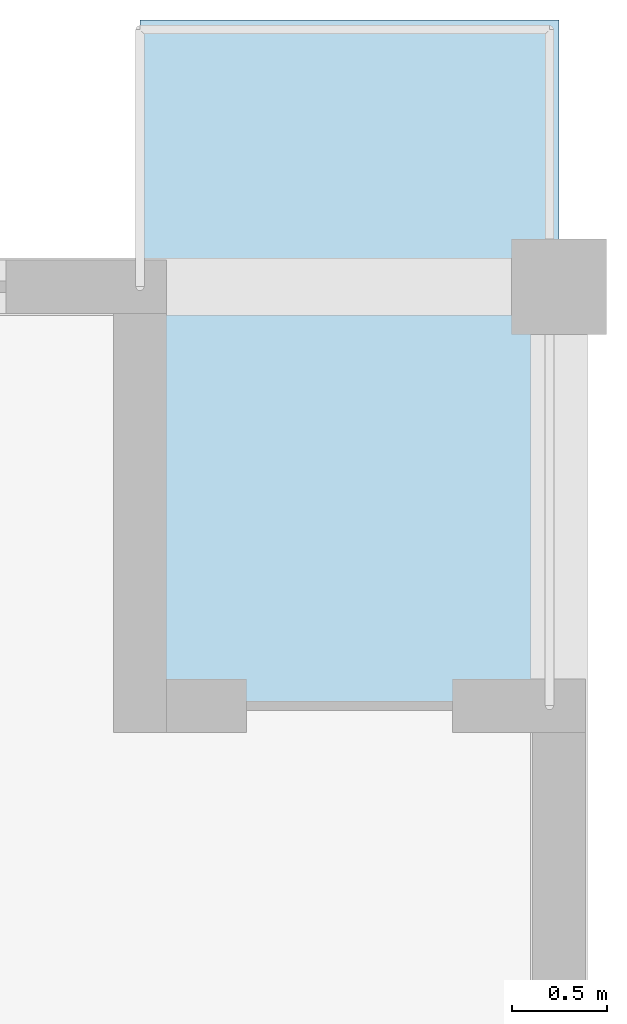
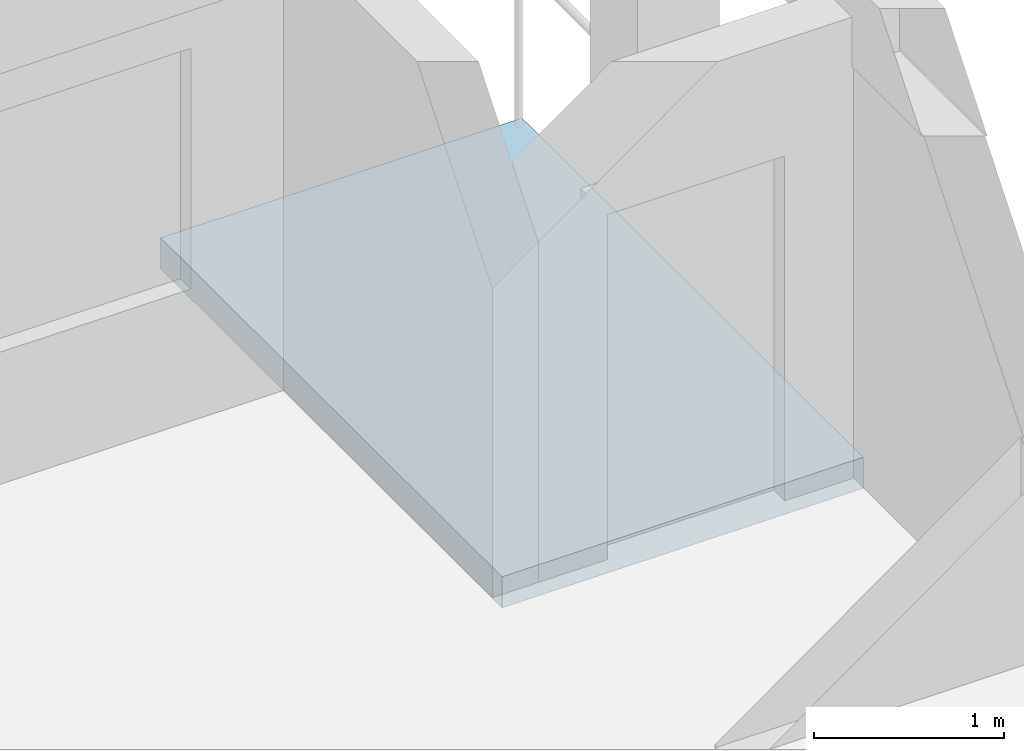
# One storey, part 24 of 46: 1 slab.
"""IFC4 building model written with IfcOpenShell, lengths in metres."""

from ifc_helpers import new_model, si_unit, direction, frame, origin, place, context, subcontext, project, spatial, polyline, outline, extrude, material, layer, layer_set, type_object, element, save


model = new_model("IFC4")

# Units and contexts
model_context = context("Model", 3, precision=1e-05, world=origin(), true_north=direction((0.0, 1.0)))
body_context = subcontext(model_context, "Body", "Model", "MODEL_VIEW")
ifc_project = project(units=[si_unit("LENGTHUNIT", "METRE"), si_unit("AREAUNIT", "SQUARE_METRE"), si_unit("VOLUMEUNIT", "CUBIC_METRE"), si_unit("PLANEANGLEUNIT", "RADIAN"), si_unit("MASSUNIT", "GRAM", prefix="KILO")], contexts=[model_context])

# Site, building, storey
site_placement = place(None, origin())
site = spatial("IfcSite", under=ifc_project, at=site_placement, CompositionType="ELEMENT")
building_placement = place(site_placement, origin())
building = spatial("IfcBuilding", under=site, at=building_placement, Name="Kernevlak Ridge Housing Community", CompositionType="ELEMENT")
storey_placement = place(building_placement, frame((0.0, 0.0, 27.60009765625)))
storey = spatial("IfcBuildingStorey", under=building, at=storey_placement, Name="L08", CompositionType="ELEMENT", Elevation=27.60009765625)

# Slab
ifc_material = material(Name="Concrete C35/45", Category="concrete")
ifc_layer = layer(ifc_material, 0.199951171875, Name="Concrete C35/45")
ifc_layer_set = layer_set([ifc_layer], Name="Concrete C35/45")
slab_type = type_object("IfcSlabType", Name="SL-05", PredefinedType="FLOOR", material=ifc_layer_set)
slab_placement = place(storey_placement, frame((0.0, 0.0, -0.2001953125)))
element("IfcSlab", 1, at=slab_placement, inside=storey, type_object=slab_type, Name="Block B L08 corner balcony deck slab", PredefinedType="FLOOR", context=body_context, shape_type="SweptSolid", body=[
    extrude(outline(polyline([(150.199951171875, 100.199951171875), (152.39990234375, 100.199951171875), (152.39990234375, 103.800048828125), (150.199951171875, 103.800048828125), (150.199951171875, 100.199951171875)])), origin(), (0.0, 0.0, 1.0), 0.2001953125),
])

save(model, "model.ifc")
